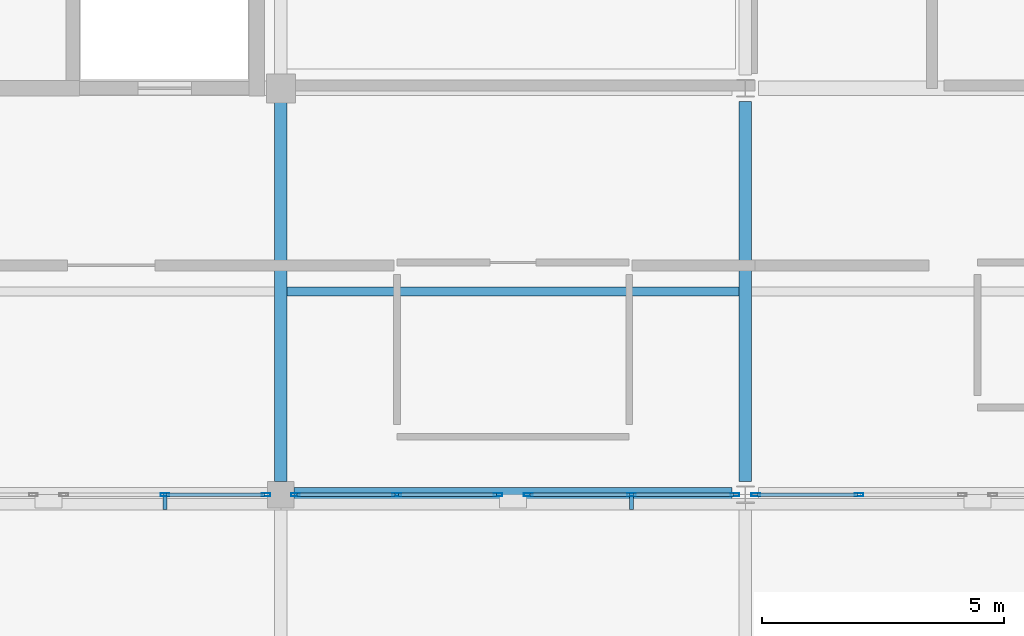
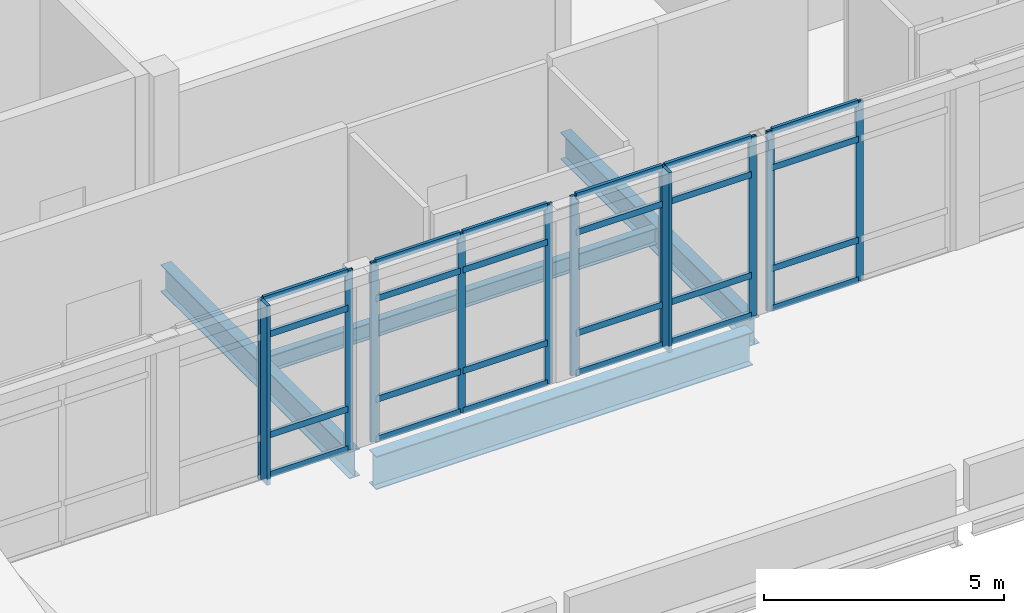
# One storey, part 14 of 52: 36 members, 4 beams, 4 elements without a shape of their own.
"""IFC4 building model written with IfcOpenShell, lengths in metres."""

from ifc_helpers import new_model, si_unit, direction, frame, origin, origin_2d, place, context, subcontext, project, spatial, rectangle, hollow_rectangle, i_section, extrude, material, layer, layer_set, material_profile, profile_set, type_object, element, aggregate, save


model = new_model("IFC4")

# Units and contexts
model_context = context("Model", 3, precision=1e-05, world=origin(), true_north=direction((0.0, 1.0)))
body_context = subcontext(model_context, "Body", "Model", "MODEL_VIEW")
ifc_project = project(units=[si_unit("LENGTHUNIT", "METRE"), si_unit("AREAUNIT", "SQUARE_METRE"), si_unit("VOLUMEUNIT", "CUBIC_METRE"), si_unit("PLANEANGLEUNIT", "RADIAN"), si_unit("MASSUNIT", "GRAM", prefix="KILO")], contexts=[model_context])

# Site, building, storey
site_placement = place(None, origin())
site = spatial("IfcSite", under=ifc_project, at=site_placement, CompositionType="ELEMENT")
building_placement = place(site_placement, origin())
building = spatial("IfcBuilding", under=site, at=building_placement, Name="Lornevale Opera House", CompositionType="ELEMENT")
storey_placement = place(building_placement, frame((0.0, 0.0, 15.0)))
storey = spatial("IfcBuildingStorey", under=building, at=storey_placement, Name="L04", CompositionType="ELEMENT", Elevation=15.0)

# Curtain wall, members
ifc_material_1 = material(Name="Anodized Oxide-Green Aluminium Framing", Category="aluminium")
ifc_layer = layer(ifc_material_1, 0.18505859375)
ifc_layer_set = layer_set([ifc_layer], Name="Anodized Oxide-Green Aluminium Framing")
curtain_wall_type = type_object("IfcCurtainWallType", Name="Conservatory Curtain Wall M2100", PredefinedType="NOTDEFINED", material=ifc_layer_set)
curtain_wall_1_placement = place(storey_placement, origin())
curtain_wall_1 = element("IfcCurtainWall", 1, at=curtain_wall_1_placement, inside=storey, type_object=curtain_wall_type, Name="Conservatory Curtain Wall M2100 CW-149", PredefinedType="NOTDEFINED")
ifc_material_profile_1 = material_profile(ifc_material_1, hollow_rectangle(XDim=0.06494140625, YDim=0.179931640625, WallThickness=0.0048828125, at=origin_2d()), Name="ALU65x180x5")
ifc_profile_set_1 = profile_set([ifc_material_profile_1], Name="Anodized Oxide-Green Aluminium Framing")
member_type_1 = type_object("IfcMemberType", Name="Curtain Wall Mullion 65x180", PredefinedType="MULLION", material=ifc_profile_set_1)
member_1_placement = place(storey_placement, frame((114.896484375, 25.199951171875, 0.0), z_axis=(0.0, 0.0, 1.0), x_axis=(0.0, -1.0, 0.0)))
member_1 = element("IfcMember", 2, at=member_1_placement, type_object=member_type_1, Name="Curtain Wall Mullion 65x180 CW3085", PredefinedType="MULLION", context=body_context, shape_type="SweptSolid", body=[
    extrude(hollow_rectangle(XDim=0.06494140625, YDim=0.179931640625, WallThickness=0.0048828125, at=origin_2d()), origin(), (0.0, 0.0, 1.0), 4.56005859375),
])
member_2_placement = place(storey_placement, frame((112.804443359375, 25.199951171875, 0.0), z_axis=(0.0, 0.0, 1.0), x_axis=(0.0, -1.0, 0.0)))
member_2 = element("IfcMember", 3, at=member_2_placement, type_object=member_type_1, Name="Curtain Wall Mullion 65x180 CW3086", PredefinedType="MULLION", context=body_context, shape_type="SweptSolid", body=[
    extrude(hollow_rectangle(XDim=0.06494140625, YDim=0.179931640625, WallThickness=0.0048828125, at=origin_2d()), origin(), (0.0, 0.0, 1.0), 4.56005859375),
])

curtain_wall_2_placement = place(storey_placement, origin())
curtain_wall_2 = element("IfcCurtainWall", 4, at=curtain_wall_2_placement, inside=storey, type_object=curtain_wall_type, Name="Conservatory Curtain Wall M2100 CW-153", PredefinedType="NOTDEFINED")
member_3_placement = place(storey_placement, frame((124.5849609375, 25.199951171875, 0.0), z_axis=(0.0, 0.0, 1.0), x_axis=(0.0, -1.0, 0.0)))
member_3 = element("IfcMember", 5, at=member_3_placement, type_object=member_type_1, Name="Curtain Wall Mullion 65x180 CW3153", PredefinedType="MULLION", context=body_context, shape_type="SweptSolid", body=[
    extrude(hollow_rectangle(XDim=0.06494140625, YDim=0.179931640625, WallThickness=0.0048828125, at=origin_2d()), origin(), (0.0, 0.0, 1.0), 4.56005859375),
])
member_4_placement = place(storey_placement, frame((122.44873046875, 25.199951171875, 0.0), z_axis=(0.0, 0.0, 1.0), x_axis=(0.0, -1.0, 0.0)))
member_4 = element("IfcMember", 6, at=member_4_placement, type_object=member_type_1, Name="Curtain Wall Mullion 65x180 CW3154", PredefinedType="MULLION", context=body_context, shape_type="SweptSolid", body=[
    extrude(hollow_rectangle(XDim=0.06494140625, YDim=0.179931640625, WallThickness=0.0048828125, at=origin_2d()), origin(), (0.0, 0.0, 1.0), 4.56005859375),
])
member_5_placement = place(storey_placement, frame((120.3125, 25.199951171875, 0.0), z_axis=(0.0, 0.0, 1.0), x_axis=(0.0, -1.0, 0.0)))
member_5 = element("IfcMember", 7, at=member_5_placement, type_object=member_type_1, Name="Curtain Wall Mullion 65x180 CW3155", PredefinedType="MULLION", context=body_context, shape_type="SweptSolid", body=[
    extrude(hollow_rectangle(XDim=0.06494140625, YDim=0.179931640625, WallThickness=0.0048828125, at=origin_2d()), origin(), (0.0, 0.0, 1.0), 4.56005859375),
])

curtain_wall_3_placement = place(storey_placement, origin())
curtain_wall_3 = element("IfcCurtainWall", 8, at=curtain_wall_3_placement, inside=storey, type_object=curtain_wall_type, Name="Conservatory Curtain Wall M2100 CW-154", PredefinedType="NOTDEFINED")
member_6_placement = place(storey_placement, frame((119.6875, 25.199951171875, 0.0), z_axis=(0.0, 0.0, 1.0), x_axis=(0.0, -1.0, 0.0)))
member_6 = element("IfcMember", 9, at=member_6_placement, type_object=member_type_1, Name="Curtain Wall Mullion 65x180 CW3170", PredefinedType="MULLION", context=body_context, shape_type="SweptSolid", body=[
    extrude(hollow_rectangle(XDim=0.06494140625, YDim=0.179931640625, WallThickness=0.0048828125, at=origin_2d()), origin(), (0.0, 0.0, 1.0), 4.56005859375),
])
member_7_placement = place(storey_placement, frame((117.595458984375, 25.199951171875, 0.0), z_axis=(0.0, 0.0, 1.0), x_axis=(0.0, -1.0, 0.0)))
member_7 = element("IfcMember", 10, at=member_7_placement, type_object=member_type_1, Name="Curtain Wall Mullion 65x180 CW3171", PredefinedType="MULLION", context=body_context, shape_type="SweptSolid", body=[
    extrude(hollow_rectangle(XDim=0.06494140625, YDim=0.179931640625, WallThickness=0.0048828125, at=origin_2d()), origin(), (0.0, 0.0, 1.0), 4.56005859375),
])
member_8_placement = place(storey_placement, frame((115.50341796875, 25.199951171875, 0.0), z_axis=(0.0, 0.0, 1.0), x_axis=(0.0, -1.0, 0.0)))
member_8 = element("IfcMember", 11, at=member_8_placement, type_object=member_type_1, Name="Curtain Wall Mullion 65x180 CW3172", PredefinedType="MULLION", context=body_context, shape_type="SweptSolid", body=[
    extrude(hollow_rectangle(XDim=0.06494140625, YDim=0.179931640625, WallThickness=0.0048828125, at=origin_2d()), origin(), (0.0, 0.0, 1.0), 4.56005859375),
])

curtain_wall_4_placement = place(storey_placement, origin())
curtain_wall_4 = element("IfcCurtainWall", 12, at=curtain_wall_4_placement, inside=storey, type_object=curtain_wall_type, Name="Conservatory Curtain Wall M2100 CW-158", PredefinedType="NOTDEFINED")
member_9_placement = place(storey_placement, frame((127.1513671875, 25.199951171875, 0.0), z_axis=(0.0, 0.0, 1.0), x_axis=(0.0, -1.0, 0.0)))
member_9 = element("IfcMember", 13, at=member_9_placement, type_object=member_type_1, Name="Curtain Wall Mullion 65x180 CW3239", PredefinedType="MULLION", context=body_context, shape_type="SweptSolid", body=[
    extrude(hollow_rectangle(XDim=0.06494140625, YDim=0.179931640625, WallThickness=0.0048828125, at=origin_2d()), origin(), (0.0, 0.0, 1.0), 4.56005859375),
])
member_10_placement = place(storey_placement, frame((125.014892578125, 25.199951171875, 0.0), z_axis=(0.0, 0.0, 1.0), x_axis=(0.0, -1.0, 0.0)))
member_10 = element("IfcMember", 14, at=member_10_placement, type_object=member_type_1, Name="Curtain Wall Mullion 65x180 CW3240", PredefinedType="MULLION", context=body_context, shape_type="SweptSolid", body=[
    extrude(hollow_rectangle(XDim=0.06494140625, YDim=0.179931640625, WallThickness=0.0048828125, at=origin_2d()), origin(), (0.0, 0.0, 1.0), 4.56005859375),
])

# Member
ifc_material_profile_2 = material_profile(ifc_material_1, hollow_rectangle(XDim=0.074951171875, YDim=0.159912109375, WallThickness=0.0048828125, at=origin_2d()), Name="ALU75x160x5")
ifc_profile_set_2 = profile_set([ifc_material_profile_2], Name="Anodized Oxide-Green Aluminium Framing")
member_type_2 = type_object("IfcMemberType", Name="Curtain Wall Transom 75x160", PredefinedType="USERDEFINED", material=ifc_profile_set_2)
member_11_placement = place(storey_placement, frame((114.864013671875, 25.199951171875, 0.03759765625), z_axis=(-1.0, 0.0, 0.0), x_axis=(0.0, -1.0, 0.0)))
member_11 = element("IfcMember", 15, at=member_11_placement, type_object=member_type_2, Name="Curtain Wall Transom 75x160 CW3088", ObjectType="TRANSOM", PredefinedType="USERDEFINED", context=body_context, shape_type="SweptSolid", body=[
    extrude(hollow_rectangle(XDim=0.074951171875, YDim=0.159912109375, WallThickness=0.0048828125, at=origin_2d()), origin(), (0.0, 0.0, 1.0), 2.027099609375),
])

member_12_placement = place(storey_placement, frame((114.864013671875, 25.199951171875, 1.050048828125), z_axis=(-1.0, 0.0, 0.0), x_axis=(0.0, -1.0, 0.0)))
member_12 = element("IfcMember", 16, at=member_12_placement, type_object=member_type_2, Name="Curtain Wall Transom 75x160 CW3089", ObjectType="TRANSOM", PredefinedType="USERDEFINED", context=body_context, shape_type="SweptSolid", body=[
    extrude(hollow_rectangle(XDim=0.074951171875, YDim=0.159912109375, WallThickness=0.0048828125, at=origin_2d()), origin(), (0.0, 0.0, 1.0), 2.027099609375),
])

member_13_placement = place(storey_placement, frame((114.864013671875, 25.199951171875, 3.610107421875), z_axis=(-1.0, 0.0, 0.0), x_axis=(0.0, -1.0, 0.0)))
member_13 = element("IfcMember", 17, at=member_13_placement, type_object=member_type_2, Name="Curtain Wall Transom 75x160 CW3090", ObjectType="TRANSOM", PredefinedType="USERDEFINED", context=body_context, shape_type="SweptSolid", body=[
    extrude(hollow_rectangle(XDim=0.074951171875, YDim=0.159912109375, WallThickness=0.0048828125, at=origin_2d()), origin(), (0.0, 0.0, 1.0), 2.027099609375),
])

member_14_placement = place(storey_placement, frame((114.864013671875, 25.199951171875, 4.5224609375), z_axis=(-1.0, 0.0, 0.0), x_axis=(0.0, -1.0, 0.0)))
member_14 = element("IfcMember", 18, at=member_14_placement, type_object=member_type_2, Name="Curtain Wall Transom 75x160 CW3091", ObjectType="TRANSOM", PredefinedType="USERDEFINED", context=body_context, shape_type="SweptSolid", body=[
    extrude(hollow_rectangle(XDim=0.074951171875, YDim=0.159912109375, WallThickness=0.0048828125, at=origin_2d()), origin(), (0.0, 0.0, 1.0), 2.027099609375),
])

member_15_placement = place(storey_placement, frame((124.552490234375, 25.199951171875, 0.03759765625), z_axis=(-1.0, 0.0, 0.0), x_axis=(0.0, -1.0, 0.0)))
member_15 = element("IfcMember", 19, at=member_15_placement, type_object=member_type_2, Name="Curtain Wall Transom 75x160 CW3156", ObjectType="TRANSOM", PredefinedType="USERDEFINED", context=body_context, shape_type="SweptSolid", body=[
    extrude(hollow_rectangle(XDim=0.074951171875, YDim=0.159912109375, WallThickness=0.0048828125, at=origin_2d()), origin(), (0.0, 0.0, 1.0), 2.0712890625),
])

member_16_placement = place(storey_placement, frame((124.552490234375, 25.199951171875, 1.050048828125), z_axis=(-1.0, 0.0, 0.0), x_axis=(0.0, -1.0, 0.0)))
member_16 = element("IfcMember", 20, at=member_16_placement, type_object=member_type_2, Name="Curtain Wall Transom 75x160 CW3157", ObjectType="TRANSOM", PredefinedType="USERDEFINED", context=body_context, shape_type="SweptSolid", body=[
    extrude(hollow_rectangle(XDim=0.074951171875, YDim=0.159912109375, WallThickness=0.0048828125, at=origin_2d()), origin(), (0.0, 0.0, 1.0), 2.0712890625),
])

member_17_placement = place(storey_placement, frame((124.552490234375, 25.199951171875, 3.610107421875), z_axis=(-1.0, 0.0, 0.0), x_axis=(0.0, -1.0, 0.0)))
member_17 = element("IfcMember", 21, at=member_17_placement, type_object=member_type_2, Name="Curtain Wall Transom 75x160 CW3158", ObjectType="TRANSOM", PredefinedType="USERDEFINED", context=body_context, shape_type="SweptSolid", body=[
    extrude(hollow_rectangle(XDim=0.074951171875, YDim=0.159912109375, WallThickness=0.0048828125, at=origin_2d()), origin(), (0.0, 0.0, 1.0), 2.0712890625),
])

member_18_placement = place(storey_placement, frame((124.552490234375, 25.199951171875, 4.5224609375), z_axis=(-1.0, 0.0, 0.0), x_axis=(0.0, -1.0, 0.0)))
member_18 = element("IfcMember", 22, at=member_18_placement, type_object=member_type_2, Name="Curtain Wall Transom 75x160 CW3159", ObjectType="TRANSOM", PredefinedType="USERDEFINED", context=body_context, shape_type="SweptSolid", body=[
    extrude(hollow_rectangle(XDim=0.074951171875, YDim=0.159912109375, WallThickness=0.0048828125, at=origin_2d()), origin(), (0.0, 0.0, 1.0), 2.0712890625),
])

member_19_placement = place(storey_placement, frame((122.416259765625, 25.199951171875, 0.03759765625), z_axis=(-1.0, 0.0, 0.0), x_axis=(0.0, -1.0, 0.0)))
member_19 = element("IfcMember", 23, at=member_19_placement, type_object=member_type_2, Name="Curtain Wall Transom 75x160 CW3163", ObjectType="TRANSOM", PredefinedType="USERDEFINED", context=body_context, shape_type="SweptSolid", body=[
    extrude(hollow_rectangle(XDim=0.074951171875, YDim=0.159912109375, WallThickness=0.0048828125, at=origin_2d()), origin(), (0.0, 0.0, 1.0), 2.0712890625),
])

member_20_placement = place(storey_placement, frame((122.416259765625, 25.199951171875, 1.050048828125), z_axis=(-1.0, 0.0, 0.0), x_axis=(0.0, -1.0, 0.0)))
member_20 = element("IfcMember", 24, at=member_20_placement, type_object=member_type_2, Name="Curtain Wall Transom 75x160 CW3164", ObjectType="TRANSOM", PredefinedType="USERDEFINED", context=body_context, shape_type="SweptSolid", body=[
    extrude(hollow_rectangle(XDim=0.074951171875, YDim=0.159912109375, WallThickness=0.0048828125, at=origin_2d()), origin(), (0.0, 0.0, 1.0), 2.0712890625),
])

member_21_placement = place(storey_placement, frame((122.416259765625, 25.199951171875, 3.610107421875), z_axis=(-1.0, 0.0, 0.0), x_axis=(0.0, -1.0, 0.0)))
member_21 = element("IfcMember", 25, at=member_21_placement, type_object=member_type_2, Name="Curtain Wall Transom 75x160 CW3165", ObjectType="TRANSOM", PredefinedType="USERDEFINED", context=body_context, shape_type="SweptSolid", body=[
    extrude(hollow_rectangle(XDim=0.074951171875, YDim=0.159912109375, WallThickness=0.0048828125, at=origin_2d()), origin(), (0.0, 0.0, 1.0), 2.0712890625),
])

member_22_placement = place(storey_placement, frame((122.416259765625, 25.199951171875, 4.5224609375), z_axis=(-1.0, 0.0, 0.0), x_axis=(0.0, -1.0, 0.0)))
member_22 = element("IfcMember", 26, at=member_22_placement, type_object=member_type_2, Name="Curtain Wall Transom 75x160 CW3166", ObjectType="TRANSOM", PredefinedType="USERDEFINED", context=body_context, shape_type="SweptSolid", body=[
    extrude(hollow_rectangle(XDim=0.074951171875, YDim=0.159912109375, WallThickness=0.0048828125, at=origin_2d()), origin(), (0.0, 0.0, 1.0), 2.0712890625),
])

member_23_placement = place(storey_placement, frame((119.655029296875, 25.199951171875, 0.03759765625), z_axis=(-1.0, 0.0, 0.0), x_axis=(0.0, -1.0, 0.0)))
member_23 = element("IfcMember", 27, at=member_23_placement, type_object=member_type_2, Name="Curtain Wall Transom 75x160 CW3173", ObjectType="TRANSOM", PredefinedType="USERDEFINED", context=body_context, shape_type="SweptSolid", body=[
    extrude(hollow_rectangle(XDim=0.074951171875, YDim=0.159912109375, WallThickness=0.0048828125, at=origin_2d()), origin(), (0.0, 0.0, 1.0), 2.027099609375),
])

member_24_placement = place(storey_placement, frame((119.655029296875, 25.199951171875, 1.050048828125), z_axis=(-1.0, 0.0, 0.0), x_axis=(0.0, -1.0, 0.0)))
member_24 = element("IfcMember", 28, at=member_24_placement, type_object=member_type_2, Name="Curtain Wall Transom 75x160 CW3174", ObjectType="TRANSOM", PredefinedType="USERDEFINED", context=body_context, shape_type="SweptSolid", body=[
    extrude(hollow_rectangle(XDim=0.074951171875, YDim=0.159912109375, WallThickness=0.0048828125, at=origin_2d()), origin(), (0.0, 0.0, 1.0), 2.027099609375),
])

member_25_placement = place(storey_placement, frame((119.655029296875, 25.199951171875, 3.610107421875), z_axis=(-1.0, 0.0, 0.0), x_axis=(0.0, -1.0, 0.0)))
member_25 = element("IfcMember", 29, at=member_25_placement, type_object=member_type_2, Name="Curtain Wall Transom 75x160 CW3175", ObjectType="TRANSOM", PredefinedType="USERDEFINED", context=body_context, shape_type="SweptSolid", body=[
    extrude(hollow_rectangle(XDim=0.074951171875, YDim=0.159912109375, WallThickness=0.0048828125, at=origin_2d()), origin(), (0.0, 0.0, 1.0), 2.027099609375),
])

member_26_placement = place(storey_placement, frame((119.655029296875, 25.199951171875, 4.5224609375), z_axis=(-1.0, 0.0, 0.0), x_axis=(0.0, -1.0, 0.0)))
member_26 = element("IfcMember", 30, at=member_26_placement, type_object=member_type_2, Name="Curtain Wall Transom 75x160 CW3176", ObjectType="TRANSOM", PredefinedType="USERDEFINED", context=body_context, shape_type="SweptSolid", body=[
    extrude(hollow_rectangle(XDim=0.074951171875, YDim=0.159912109375, WallThickness=0.0048828125, at=origin_2d()), origin(), (0.0, 0.0, 1.0), 2.027099609375),
])

member_27_placement = place(storey_placement, frame((117.56298828125, 25.199951171875, 0.03759765625), z_axis=(-1.0, 0.0, 0.0), x_axis=(0.0, -1.0, 0.0)))
member_27 = element("IfcMember", 31, at=member_27_placement, type_object=member_type_2, Name="Curtain Wall Transom 75x160 CW3180", ObjectType="TRANSOM", PredefinedType="USERDEFINED", context=body_context, shape_type="SweptSolid", body=[
    extrude(hollow_rectangle(XDim=0.074951171875, YDim=0.159912109375, WallThickness=0.0048828125, at=origin_2d()), origin(), (0.0, 0.0, 1.0), 2.027099609375),
])

member_28_placement = place(storey_placement, frame((117.56298828125, 25.199951171875, 1.050048828125), z_axis=(-1.0, 0.0, 0.0), x_axis=(0.0, -1.0, 0.0)))
member_28 = element("IfcMember", 32, at=member_28_placement, type_object=member_type_2, Name="Curtain Wall Transom 75x160 CW3181", ObjectType="TRANSOM", PredefinedType="USERDEFINED", context=body_context, shape_type="SweptSolid", body=[
    extrude(hollow_rectangle(XDim=0.074951171875, YDim=0.159912109375, WallThickness=0.0048828125, at=origin_2d()), origin(), (0.0, 0.0, 1.0), 2.027099609375),
])

member_29_placement = place(storey_placement, frame((117.56298828125, 25.199951171875, 3.610107421875), z_axis=(-1.0, 0.0, 0.0), x_axis=(0.0, -1.0, 0.0)))
member_29 = element("IfcMember", 33, at=member_29_placement, type_object=member_type_2, Name="Curtain Wall Transom 75x160 CW3182", ObjectType="TRANSOM", PredefinedType="USERDEFINED", context=body_context, shape_type="SweptSolid", body=[
    extrude(hollow_rectangle(XDim=0.074951171875, YDim=0.159912109375, WallThickness=0.0048828125, at=origin_2d()), origin(), (0.0, 0.0, 1.0), 2.027099609375),
])

member_30_placement = place(storey_placement, frame((117.56298828125, 25.199951171875, 4.5224609375), z_axis=(-1.0, 0.0, 0.0), x_axis=(0.0, -1.0, 0.0)))
member_30 = element("IfcMember", 34, at=member_30_placement, type_object=member_type_2, Name="Curtain Wall Transom 75x160 CW3183", ObjectType="TRANSOM", PredefinedType="USERDEFINED", context=body_context, shape_type="SweptSolid", body=[
    extrude(hollow_rectangle(XDim=0.074951171875, YDim=0.159912109375, WallThickness=0.0048828125, at=origin_2d()), origin(), (0.0, 0.0, 1.0), 2.027099609375),
])

aggregate(curtain_wall_3, [member_6, member_7, member_8, member_23, member_24, member_25, member_26, member_27, member_28, member_29, member_30])

member_31_placement = place(storey_placement, frame((127.11865234375, 25.199951171875, 0.03759765625), z_axis=(-1.0, 0.0, 0.0), x_axis=(0.0, -1.0, 0.0)))
member_31 = element("IfcMember", 35, at=member_31_placement, type_object=member_type_2, Name="Curtain Wall Transom 75x160 CW3248", ObjectType="TRANSOM", PredefinedType="USERDEFINED", context=body_context, shape_type="SweptSolid", body=[
    extrude(hollow_rectangle(XDim=0.074951171875, YDim=0.159912109375, WallThickness=0.0048828125, at=origin_2d()), origin(), (0.0, 0.0, 1.0), 2.071044921875),
])

member_32_placement = place(storey_placement, frame((127.11865234375, 25.199951171875, 1.050048828125), z_axis=(-1.0, 0.0, 0.0), x_axis=(0.0, -1.0, 0.0)))
member_32 = element("IfcMember", 36, at=member_32_placement, type_object=member_type_2, Name="Curtain Wall Transom 75x160 CW3249", ObjectType="TRANSOM", PredefinedType="USERDEFINED", context=body_context, shape_type="SweptSolid", body=[
    extrude(hollow_rectangle(XDim=0.074951171875, YDim=0.159912109375, WallThickness=0.0048828125, at=origin_2d()), origin(), (0.0, 0.0, 1.0), 2.071044921875),
])

member_33_placement = place(storey_placement, frame((127.11865234375, 25.199951171875, 3.610107421875), z_axis=(-1.0, 0.0, 0.0), x_axis=(0.0, -1.0, 0.0)))
member_33 = element("IfcMember", 37, at=member_33_placement, type_object=member_type_2, Name="Curtain Wall Transom 75x160 CW3250", ObjectType="TRANSOM", PredefinedType="USERDEFINED", context=body_context, shape_type="SweptSolid", body=[
    extrude(hollow_rectangle(XDim=0.074951171875, YDim=0.159912109375, WallThickness=0.0048828125, at=origin_2d()), origin(), (0.0, 0.0, 1.0), 2.071044921875),
])

member_34_placement = place(storey_placement, frame((127.11865234375, 25.199951171875, 4.5224609375), z_axis=(-1.0, 0.0, 0.0), x_axis=(0.0, -1.0, 0.0)))
member_34 = element("IfcMember", 38, at=member_34_placement, type_object=member_type_2, Name="Curtain Wall Transom 75x160 CW3251", ObjectType="TRANSOM", PredefinedType="USERDEFINED", context=body_context, shape_type="SweptSolid", body=[
    extrude(hollow_rectangle(XDim=0.074951171875, YDim=0.159912109375, WallThickness=0.0048828125, at=origin_2d()), origin(), (0.0, 0.0, 1.0), 2.071044921875),
])

aggregate(curtain_wall_4, [member_9, member_10, member_31, member_32, member_33, member_34])

ifc_material_2 = material(Name="Architectural Bronze Solar Louvre Alloy", Category="metal")
ifc_material_profile_3 = material_profile(ifc_material_2, rectangle(XDim=0.080078125, YDim=0.360107421875, at=origin_2d()), Name="FIN80x360")
ifc_profile_set_3 = profile_set([ifc_material_profile_3], Name="Architectural Bronze Solar Louvre Alloy")
member_type_3 = type_object("IfcMemberType", Name="Solar Shading Fin 80x360", PredefinedType="USERDEFINED", material=ifc_profile_set_3)
member_35_placement = place(storey_placement, frame((112.804443359375, 25.073974609375, 0.0), z_axis=(0.0, 0.0, 1.0), x_axis=(-1.0, 0.0, 0.0)))
member_35 = element("IfcMember", 39, at=member_35_placement, type_object=member_type_3, Name="Solar Shading Fin 80x360 FIN0063", ObjectType="SOLAR FIN", PredefinedType="USERDEFINED", context=body_context, shape_type="SweptSolid", body=[
    extrude(rectangle(XDim=0.080078125, YDim=0.360107421875, at=origin_2d()), origin(), (0.0, 0.0, 1.0), 4.56005859375),
])

aggregate(curtain_wall_1, [member_1, member_2, member_11, member_12, member_13, member_14, member_35])

member_36_placement = place(storey_placement, frame((122.44873046875, 25.073974609375, 0.0), z_axis=(0.0, 0.0, 1.0), x_axis=(-1.0, 0.0, 0.0)))
member_36 = element("IfcMember", 40, at=member_36_placement, type_object=member_type_3, Name="Solar Shading Fin 80x360 FIN0064", ObjectType="SOLAR FIN", PredefinedType="USERDEFINED", context=body_context, shape_type="SweptSolid", body=[
    extrude(rectangle(XDim=0.080078125, YDim=0.360107421875, at=origin_2d()), origin(), (0.0, 0.0, 1.0), 4.56005859375),
])

aggregate(curtain_wall_2, [member_3, member_4, member_5, member_15, member_16, member_17, member_18, member_19, member_20, member_21, member_22, member_36])

# Beams
ifc_material_3 = material(Name="Structural Steel CSA G40.21 Grade 350W (350 MPa)", Category="steel")
ifc_material_profile_4 = material_profile(ifc_material_3, i_section(OverallWidth=0.299072265625, OverallDepth=0.845947265625, WebThickness=0.015380859375, FlangeThickness=0.0244140625, at=origin_2d()), Name="W840x210")
ifc_profile_set_4 = profile_set([ifc_material_profile_4], Name="Structural Steel CSA G40.21 Grade 350W (350 MPa)")
beam_type_1 = type_object("IfcBeamType", Name="Steel Clear-Span Girder W840x210", PredefinedType="USERDEFINED", material=ifc_profile_set_4)
beam_1_placement = place(storey_placement, frame((115.47509765625, 25.199951171875, -0.72802734375), z_axis=(1.0, 0.0, 0.0), x_axis=(0.0, 1.0, 0.0)))
element("IfcBeam", 41, at=beam_1_placement, inside=storey, type_object=beam_type_1, Name="Steel Clear-Span Girder W840x210 2476", ObjectType="GIRDER", PredefinedType="USERDEFINED", context=body_context, shape_type="SweptSolid", body=[
    extrude(i_section(OverallWidth=0.299072265625, OverallDepth=0.845947265625, WebThickness=0.015380859375, FlangeThickness=0.0244140625, at=origin_2d()), origin(), (0.0, 0.0, 1.0), 9.0498046875),
])
ifc_material_profile_5 = material_profile(ifc_material_3, i_section(OverallWidth=0.179931640625, OverallDepth=0.4130859375, WebThickness=0.009765625, FlangeThickness=0.01611328125, at=origin_2d()), Name="W410x74")
ifc_profile_set_5 = profile_set([ifc_material_profile_5], Name="Structural Steel CSA G40.21 Grade 350W (350 MPa)")
beam_type_2 = type_object("IfcBeamType", Name="Steel Floor Joist W410x74", PredefinedType="JOIST", material=ifc_profile_set_5)
beam_2_placement = place(storey_placement, frame((115.326904296875, 29.39990234375, -0.511474609375), z_axis=(1.0, 0.0, 0.0), x_axis=(0.0, 1.0, 0.0)))
element("IfcBeam", 42, at=beam_2_placement, inside=storey, type_object=beam_type_2, Name="Steel Floor Joist W410x74 2696", PredefinedType="JOIST", context=body_context, shape_type="SweptSolid", body=[
    extrude(i_section(OverallWidth=0.179931640625, OverallDepth=0.4130859375, WebThickness=0.009765625, FlangeThickness=0.01611328125, at=origin_2d()), origin(), (0.0, 0.0, 1.0), 9.34619140625),
])
ifc_material_profile_6 = material_profile(ifc_material_3, i_section(OverallWidth=0.25390625, OverallDepth=0.68798828125, WebThickness=0.01318359375, FlangeThickness=0.02099609375, at=origin_2d()), Name="W690x152")
ifc_profile_set_6 = profile_set([ifc_material_profile_6], Name="Structural Steel CSA G40.21 Grade 350W (350 MPa)")
beam_type_3 = type_object("IfcBeamType", Name="Steel Foyer Beam W690x152", PredefinedType="USERDEFINED", material=ifc_profile_set_6)
for number, where, z_axis, x_axis, name in (
    (43, (115.199951171875, 25.47509765625, -0.64892578125), (0.0, 1.0, 0.0), (-1.0, 0.0, 0.0), "Steel Foyer Beam W690x152 2622"),
    (44, (124.800048828125, 25.47509765625, -0.64892578125), (0.0, 1.0, 0.0), (-1.0, 0.0, 0.0), "Steel Foyer Beam W690x152 2631"),
):
    element("IfcBeam", number, at=place(storey_placement, frame(where, z_axis=z_axis, x_axis=x_axis)), inside=storey, type_object=beam_type_3, Name=name, ObjectType="GIRDER", PredefinedType="USERDEFINED", context=body_context, shape_type="SweptSolid", body=[
        extrude(i_section(OverallWidth=0.25390625, OverallDepth=0.68798828125, WebThickness=0.01318359375, FlangeThickness=0.02099609375, at=origin_2d()), origin(), (0.0, 0.0, 1.0), 7.849853515625),
    ])

save(model, "model.ifc")
